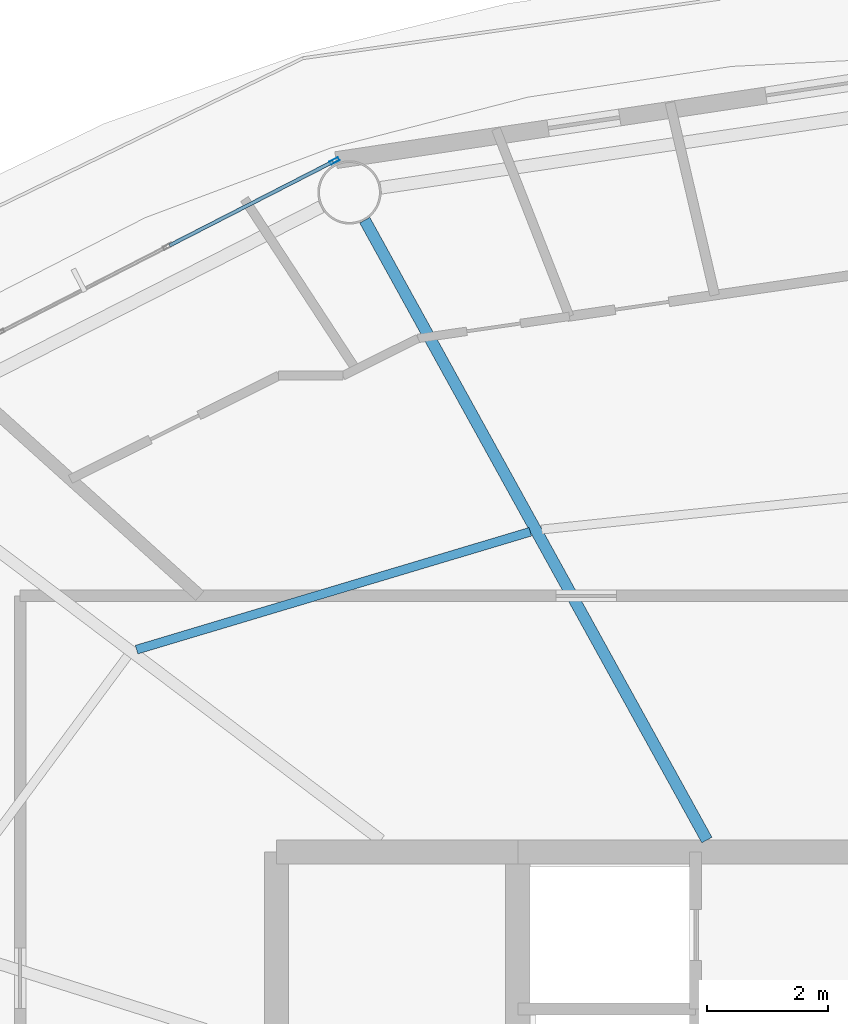
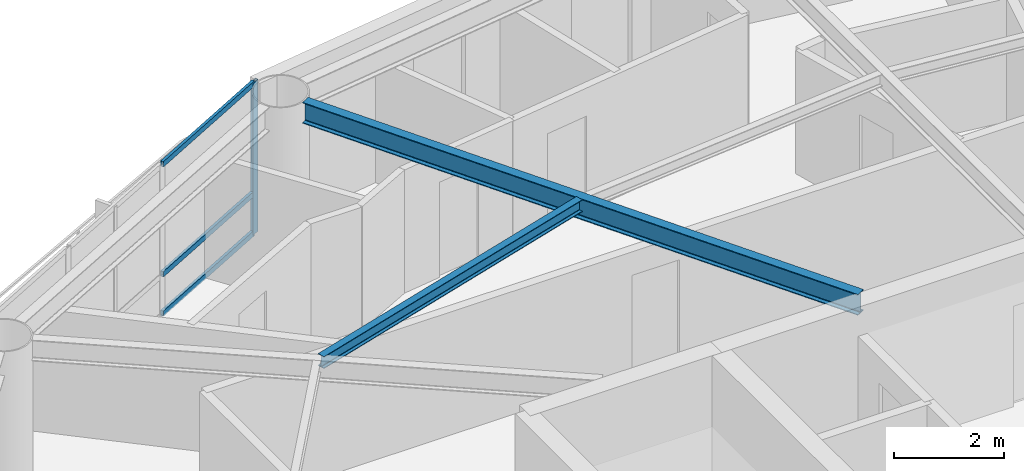
# One storey, part 9 of 23: 4 members, 2 beams, 1 element without a shape of its own.
"""IFC4 building model written with IfcOpenShell, lengths in metres."""

from ifc_helpers import new_model, si_unit, direction, frame, origin, origin_2d, place, context, subcontext, project, spatial, hollow_rectangle, i_section, extrude, material, layer, layer_set, material_profile, profile_set, type_object, element, aggregate, save


model = new_model("IFC4")

# Units and contexts
model_context = context("Model", 3, precision=1e-05, world=origin(), true_north=direction((0.0, 1.0)))
body_context = subcontext(model_context, "Body", "Model", "MODEL_VIEW")
ifc_project = project(units=[si_unit("LENGTHUNIT", "METRE"), si_unit("AREAUNIT", "SQUARE_METRE"), si_unit("VOLUMEUNIT", "CUBIC_METRE"), si_unit("PLANEANGLEUNIT", "RADIAN"), si_unit("MASSUNIT", "GRAM", prefix="KILO")], contexts=[model_context])

# Site, building, storey
site_placement = place(None, origin())
site = spatial("IfcSite", under=ifc_project, at=site_placement, CompositionType="ELEMENT")
building_placement = place(site_placement, origin())
building = spatial("IfcBuilding", under=site, at=building_placement, Name="Sarneth Arch Tower", CompositionType="ELEMENT")
storey_placement = place(building_placement, frame((0.0, 0.0, 249.60009765625)))
storey = spatial("IfcBuildingStorey", under=building, at=storey_placement, Name="L64", CompositionType="ELEMENT", Elevation=249.60009765625)

# Beams
ifc_material_1 = material(Name="Steel S355", Category="steel")
ifc_material_profile_1 = material_profile(ifc_material_1, i_section(OverallWidth=0.14794921875, OverallDepth=0.26611328125, WebThickness=0.007568359375, FlangeThickness=0.012939453125, FilletRadius=0.012939453125, at=origin_2d()), Name="W250x44.8")
ifc_profile_set_1 = profile_set([ifc_material_profile_1], Name="Steel S355")
beam_type_1 = type_object("IfcBeamType", Name="BM-JOIST-250", PredefinedType="JOIST", material=ifc_profile_set_1)
beam_1_placement = place(storey_placement, frame((41.20751953125, 54.11181640625, 3.226806640625), z_axis=(-0.957984908347, -0.286818610589, 0.0), x_axis=(0.286818610589, -0.957984908347, 0.0)))
element("IfcBeam", 1, at=beam_1_placement, inside=storey, type_object=beam_type_1, Name="L64 Secondary floor joist 06", PredefinedType="JOIST", context=body_context, shape_type="SweptSolid", body=[
    extrude(i_section(OverallWidth=0.14794921875, OverallDepth=0.26611328125, WebThickness=0.007568359375, FlangeThickness=0.012939453125, FilletRadius=0.012939453125, at=origin_2d()), origin(), (0.0, 0.0, 1.0), 6.81396484375),
])
ifc_material_2 = material(Name="Steel S355", Category="steel")
ifc_material_profile_2 = material_profile(ifc_material_2, i_section(OverallWidth=0.19189453125, OverallDepth=0.462890625, WebThickness=0.010498046875, FlangeThickness=0.017578125, FilletRadius=0.01806640625, at=origin_2d()), Name="W460x89")
ifc_profile_set_2 = profile_set([ifc_material_profile_2], Name="Steel S355")
beam_type_2 = type_object("IfcBeamType", Name="BM-RAD-460B", PredefinedType="BEAM", material=ifc_profile_set_2)
beam_2_placement = place(storey_placement, frame((44.13623046875, 49.0, 3.12841796875), z_axis=(-0.483225760768, 0.875495781903, 0.0), x_axis=(-0.875495781903, -0.483225760768, 0.0)))
element("IfcBeam", 2, at=beam_2_placement, inside=storey, type_object=beam_type_2, Name="L64 Radial floor girder 06", PredefinedType="BEAM", context=body_context, shape_type="SweptSolid", body=[
    extrude(i_section(OverallWidth=0.19189453125, OverallDepth=0.462890625, WebThickness=0.010498046875, FlangeThickness=0.017578125, FilletRadius=0.01806640625, at=origin_2d()), origin(), (0.0, 0.0, 1.0), 11.740478515625),
])

# Curtain wall, members
ifc_material_3 = material(Name="Anodised aluminium Type AA25 and solar-control low-e laminated IGU", Category="aluminium")
ifc_layer = layer(ifc_material_3, 0.179931640625)
ifc_layer_set = layer_set([ifc_layer], Name="Anodised aluminium Type AA25 and solar-control low-e laminated IGU")
curtain_wall_type = type_object("IfcCurtainWallType", Name="CW-RES-HIGH", PredefinedType="NOTDEFINED", material=ifc_layer_set)
curtain_wall_placement = place(storey_placement, origin())
curtain_wall = element("IfcCurtainWall", 3, at=curtain_wall_placement, inside=storey, type_object=curtain_wall_type, Name="L64 Unitised curtain wall facet 06", PredefinedType="NOTDEFINED")
ifc_material_4 = material(Name="Anodised Aluminium 6063-T6", Category="aluminium")
ifc_material_profile_3 = material_profile(ifc_material_4, hollow_rectangle(XDim=0.06005859375, YDim=0.159912109375, WallThickness=0.00390625, at=origin_2d()), Name="AL-MULL-160x60x4")
ifc_profile_set_3 = profile_set([ifc_material_profile_3], Name="Anodised Aluminium 6063-T6")
member_type_1 = type_object("IfcMemberType", Name="CW-MULLION", PredefinedType="MULLION", material=ifc_profile_set_3)
member_1_placement = place(storey_placement, frame((37.960693359375, 60.2607421875, 0.0), z_axis=(0.0, 0.0, 1.0), x_axis=(0.455941901753, -0.890009540525, 0.0)))
member_1 = element("IfcMember", 4, at=member_1_placement, type_object=member_type_1, Name="CW-SYS-6 mullion 1", PredefinedType="MULLION", context=body_context, shape_type="SweptSolid", body=[
    extrude(hollow_rectangle(XDim=0.06005859375, YDim=0.159912109375, WallThickness=0.00390625, at=origin_2d()), origin(), (0.0, 0.0, 1.0), 3.35986328125),
])
ifc_material_5 = material(Name="Anodised Aluminium 6063-T6", Category="aluminium")
ifc_material_profile_4 = material_profile(ifc_material_5, hollow_rectangle(XDim=0.06005859375, YDim=0.1201171875, WallThickness=0.00390625, at=origin_2d()), Name="AL-TRAN-120x60x4")
ifc_profile_set_4 = profile_set([ifc_material_profile_4], Name="Anodised Aluminium 6063-T6")
member_type_2 = type_object("IfcMemberType", Name="CW-TRANSOM", PredefinedType="USERDEFINED", material=ifc_profile_set_4)
member_2_placement = place(storey_placement, frame((37.933837890625, 60.2470703125, 0.02978515625), z_axis=(-0.889973523166, -0.456012201662, 0.0), x_axis=(0.456012201662, -0.889973523166, 0.0)))
member_2 = element("IfcMember", 5, at=member_2_placement, type_object=member_type_2, Name="CW-SYS-6 transom 1.1", ObjectType="TRANSOM", PredefinedType="USERDEFINED", context=body_context, shape_type="SweptSolid", body=[
    extrude(hollow_rectangle(XDim=0.06005859375, YDim=0.1201171875, WallThickness=0.00390625, at=origin_2d()), origin(), (0.0, 0.0, 1.0), 3.044677734375),
])
member_3_placement = place(storey_placement, frame((37.933837890625, 60.2470703125, 0.89990234375), z_axis=(-0.889973523166, -0.456012201662, 0.0), x_axis=(0.456012201662, -0.889973523166, 0.0)))
member_3 = element("IfcMember", 6, at=member_3_placement, type_object=member_type_2, Name="CW-SYS-6 transom 1.2", ObjectType="TRANSOM", PredefinedType="USERDEFINED", context=body_context, shape_type="SweptSolid", body=[
    extrude(hollow_rectangle(XDim=0.06005859375, YDim=0.1201171875, WallThickness=0.00390625, at=origin_2d()), origin(), (0.0, 0.0, 1.0), 3.044677734375),
])
member_4_placement = place(storey_placement, frame((37.933837890625, 60.2470703125, 3.329833984375), z_axis=(-0.889973523166, -0.456012201662, 0.0), x_axis=(0.456012201662, -0.889973523166, 0.0)))
member_4 = element("IfcMember", 7, at=member_4_placement, type_object=member_type_2, Name="CW-SYS-6 transom 1.3", ObjectType="TRANSOM", PredefinedType="USERDEFINED", context=body_context, shape_type="SweptSolid", body=[
    extrude(hollow_rectangle(XDim=0.06005859375, YDim=0.1201171875, WallThickness=0.00390625, at=origin_2d()), origin(), (0.0, 0.0, 1.0), 3.044677734375),
])
aggregate(curtain_wall, [member_1, member_2, member_3, member_4])

save(model, "model.ifc")
